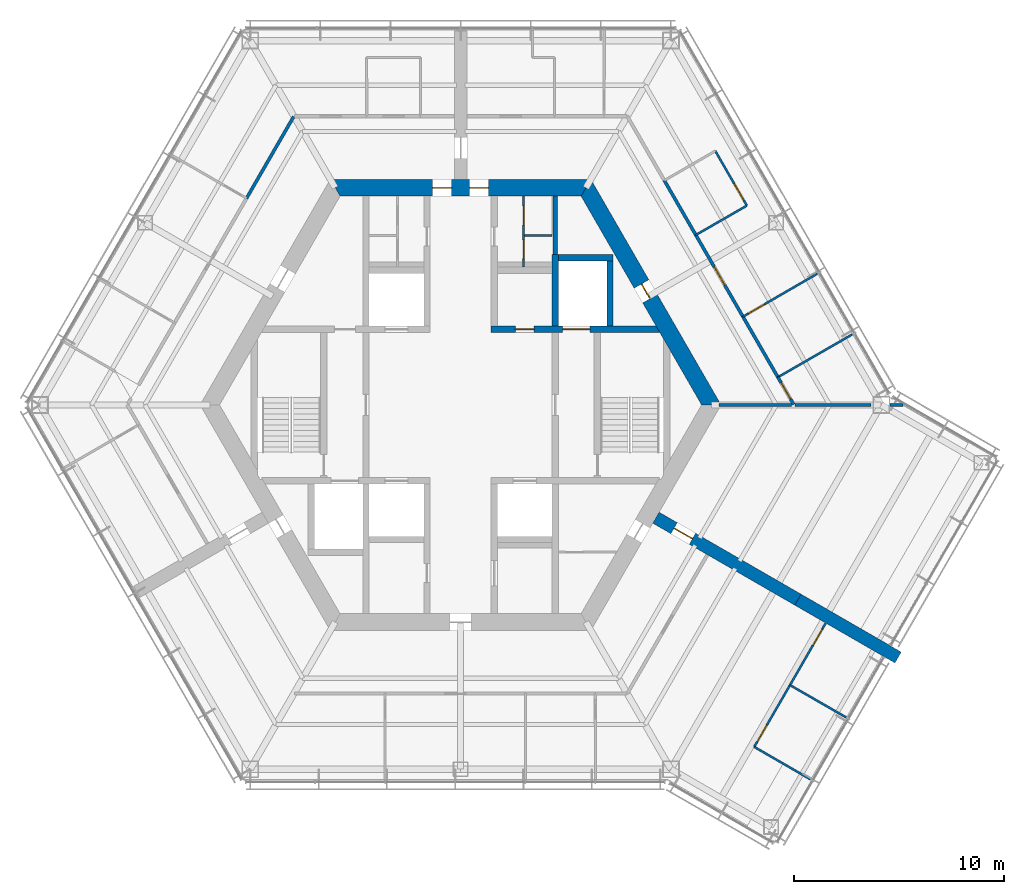
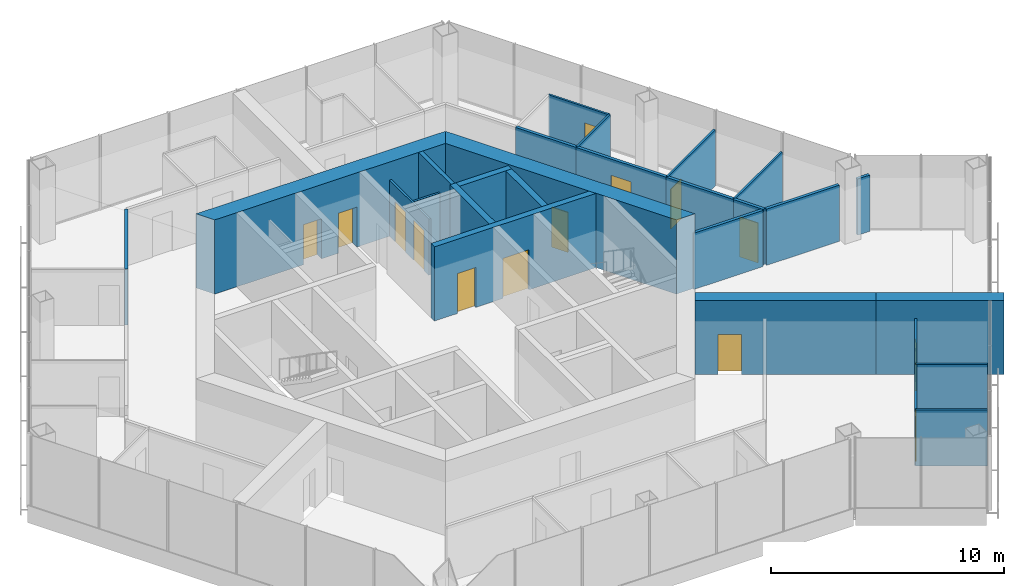
# One storey, part 9 of 13: 27 walls, 14 doors, 14 openings.
"""IFC4 building model written with IfcOpenShell, lengths in metres."""

import ifcopenshell
import ifcopenshell.guid

model = None  # the IFC model being written
_history = None  # IfcOwnerHistory: only IFC2X3 demands one
_inside = {}  # id of a spatial element -> (the spatial element, [elements in it])
_under = {}  # id of a project, library or spatial element -> (it, [spatial elements below it])
_declared = {}  # id of a project -> (the project, [libraries it declares])
_typed = {}  # id of a type object -> (the type object, [elements of that type])
_made_of = {}  # id of a material, layer set ... -> (it, [elements and type objects made of it])


def new_model(schema):
    """Start an empty IFC model of exactly this schema.

    Asked for "IFC4X3", IfcOpenShell would pick the latest addendum, in which some entities
    have other attributes; the version numbers below select the first issue.
    IFC2X3 requires an IfcOwnerHistory on every rooted entity: one is made here for all.
    """
    global model, _history
    if schema == "IFC4X3":
        model = ifcopenshell.file(schema_version=(4, 3, 0, 0))
    else:
        model = ifcopenshell.file(schema=schema)
    _inside.clear()
    _under.clear()
    _declared.clear()
    _typed.clear()
    _made_of.clear()
    _history = None
    if model.schema == "IFC2X3":
        org = make("IfcOrganization", Name="unknown")
        user = make(
            "IfcPersonAndOrganization",
            ThePerson=make("IfcPerson", FamilyName="unknown"),
            TheOrganization=org,
        )
        app = make(
            "IfcApplication",
            ApplicationDeveloper=org,
            Version="unknown",
            ApplicationFullName="unknown",
            ApplicationIdentifier="unknown",
        )
        _history = make(
            "IfcOwnerHistory",
            OwningUser=user,
            OwningApplication=app,
            ChangeAction="ADDED",
            CreationDate=0,
        )
    return model


def make(cls, **values):
    """One entity of the class cls with the attributes given. An attribute that is None is left unset."""
    return model.create_entity(
        cls, **{name: value for name, value in values.items() if value is not None}
    )


def rooted(cls, **values):
    """An entity with a GlobalId (a new one), such as an element, a storey or a relation."""
    return make(cls, GlobalId=ifcopenshell.guid.new(), OwnerHistory=_history, **values)


def si_unit(unit_type, name, prefix=None):
    """IfcSIUnit, for example si_unit("LENGTHUNIT", "METRE", prefix="MILLI")."""
    return make("IfcSIUnit", UnitType=unit_type, Prefix=prefix, Name=name)


def assignment(units):
    """IfcUnitAssignment: the units of a project."""
    return None if units is None else make("IfcUnitAssignment", Units=units)


def point(xyz):
    """IfcCartesianPoint."""
    return None if xyz is None else make("IfcCartesianPoint", Coordinates=xyz)


def direction(xyz):
    """IfcDirection."""
    return None if xyz is None else make("IfcDirection", DirectionRatios=xyz)


def frame(location, z_axis=None, x_axis=None):
    """IfcAxis2Placement3D, a coordinate frame: its origin and axes. An axis left out is left unset."""
    return make(
        "IfcAxis2Placement3D",
        Location=point(location),
        Axis=direction(z_axis),
        RefDirection=direction(x_axis),
    )


def frame_2d(location, x_axis=None):
    """IfcAxis2Placement2D, a coordinate frame in the plane: its origin and x axis."""
    return make(
        "IfcAxis2Placement2D", Location=point(location), RefDirection=direction(x_axis)
    )


def origin():
    """The frame at (0, 0, 0) with its axes left unset."""
    return frame((0.0, 0.0, 0.0))


def place(relative_to, where):
    """IfcLocalPlacement: puts the frame where relative to a parent placement (None: the world)."""
    return make(
        "IfcLocalPlacement", PlacementRelTo=relative_to, RelativePlacement=where
    )


def context(
    kind, dimensions, precision=None, world=None, true_north=None, identifier=None
):
    """IfcGeometricRepresentationContext, for example the 3D "Model" context."""
    return make(
        "IfcGeometricRepresentationContext",
        ContextIdentifier=identifier,
        ContextType=kind,
        CoordinateSpaceDimension=dimensions,
        Precision=precision,
        WorldCoordinateSystem=world,
        TrueNorth=true_north,
    )


def subcontext(parent, identifier, kind, view, scale=None):
    """IfcGeometricRepresentationSubContext, for example "Body" below "Model"."""
    return make(
        "IfcGeometricRepresentationSubContext",
        ContextIdentifier=identifier,
        ContextType=kind,
        ParentContext=parent,
        TargetScale=scale,
        TargetView=view,
    )


def project(units=None, contexts=None):
    """IfcProject with its units and contexts."""
    return rooted(
        "IfcProject",
        Name="project",
        RepresentationContexts=contexts,
        UnitsInContext=assignment(units),
    )


def spatial(cls, under=None, at=None, **own):
    """A site, building, storey or space (cls), placed at a placement, below another one or the project."""
    s = rooted(cls, ObjectPlacement=at, **own)
    if under is not None:
        _under.setdefault(under.id(), (under, []))[1].append(s)
    return s


def polyline(points):
    """IfcPolyline through the points."""
    return make("IfcPolyline", Points=[point(p) for p in points])


def profile(cls, at=None, kind="AREA", **sizes):
    """A parametric profile (cls). Its sizes go by their IFC names, for example OverallWidth=200.0."""
    return make(cls, ProfileType=kind, Position=at, **sizes)


def rectangle(**sizes):
    """IfcRectangleProfileDef."""
    return profile("IfcRectangleProfileDef", **sizes)


def outline(outer, holes=None, kind="AREA"):
    """IfcArbitraryClosedProfileDef: a profile drawn as a closed curve; with holes, ...WithVoids."""
    if holes is None:
        return make("IfcArbitraryClosedProfileDef", ProfileType=kind, OuterCurve=outer)
    return make(
        "IfcArbitraryProfileDefWithVoids",
        ProfileType=kind,
        OuterCurve=outer,
        InnerCurves=holes,
    )


def extrude(swept, where, along, depth):
    """IfcExtrudedAreaSolid: the profile swept, set in the frame where, extruded along a direction by depth."""
    return make(
        "IfcExtrudedAreaSolid",
        SweptArea=swept,
        Position=where,
        ExtrudedDirection=direction(along),
        Depth=depth,
    )


def shape(context_of_items, identifier, shape_type, items):
    """IfcShapeRepresentation: the items that make up one representation, for example the "Body"."""
    return make(
        "IfcShapeRepresentation",
        ContextOfItems=context_of_items,
        RepresentationIdentifier=identifier,
        RepresentationType=shape_type,
        Items=items,
    )


def material(Name=None, Category=None):
    """IfcMaterial."""
    return make("IfcMaterial", Name=Name, Category=Category)


def layer(
    of_material, thickness, ventilated=None, Name=None, Category=None, Priority=None
):
    """IfcMaterialLayer: one layer of a wall or slab, of a material (None: an air gap)."""
    return make(
        "IfcMaterialLayer",
        Material=of_material,
        LayerThickness=thickness,
        IsVentilated=ventilated,
        Name=Name,
        Category=Category,
        Priority=Priority,
    )


def layer_set(layers, Name=None):
    """IfcMaterialLayerSet."""
    return make("IfcMaterialLayerSet", MaterialLayers=layers, LayerSetName=Name)


def made_of(thing, what):
    """Note that an element or type object is made of a material, layer set ...; save() writes the relation."""
    if what is not None:
        _made_of.setdefault(what.id(), (what, []))[1].append(thing)
    return thing


def type_object(cls, material=None, **own):
    """A type object (cls), such as IfcWallType, which elements share."""
    return made_of(rooted(cls, **own), material)


def element(
    cls,
    number,
    at=None,
    inside=None,
    cuts=None,
    type_object=None,
    material=None,
    context=None,
    identifier="Body",
    shape_type=None,
    held_by="IfcProductDefinitionShape",
    body=None,
    shapes=None,
    **own,
):
    """One element of the class cls, such as IfcWall. Its Tag is "e" and its number.

    at: its placement. inside: the storey or other place that contains it. cuts: it is an
    opening in that element (IfcRelVoidsElement). A single representation is given by context,
    identifier, shape_type and body (its items); several are given by shapes. held_by: the class
    of the entity that holds the representations. save() writes the other relations.
    """
    e = rooted(cls, Tag="e%d" % number, ObjectPlacement=at, **own)
    if body is not None:
        shapes = [shape(context, identifier, shape_type, body)]
    if shapes is not None:
        e.Representation = make(held_by, Representations=shapes)
    if inside is not None:
        _inside.setdefault(inside.id(), (inside, []))[1].append(e)
    if cuts is not None:
        rooted(
            "IfcRelVoidsElement", RelatingBuildingElement=cuts, RelatedOpeningElement=e
        )
    if type_object is not None:
        _typed.setdefault(type_object.id(), (type_object, []))[1].append(e)
    return made_of(e, material)


def fill(opening, filler):
    """IfcRelFillsElement: the door or window that sits in an opening."""
    return rooted(
        "IfcRelFillsElement",
        RelatingOpeningElement=opening,
        RelatedBuildingElement=filler,
    )


def aggregate(whole, parts):
    """IfcRelAggregates: a whole, such as a stair, and the parts it consists of."""
    return rooted("IfcRelAggregates", RelatingObject=whole, RelatedObjects=parts)


def save(model, path):
    """Write the relations noted so far, then the file.

    IfcRelAggregates (storeys below a building ...), IfcRelContainedInSpatialStructure (elements
    in a storey), IfcRelDefinesByType, IfcRelAssociatesMaterial and IfcRelDeclares: one each for
    every whole, place, type object, material and project.
    """
    for whole, parts in _under.values():
        aggregate(whole, parts)
    for where, things in _inside.values():
        rooted(
            "IfcRelContainedInSpatialStructure",
            RelatedElements=things,
            RelatingStructure=where,
        )
    for kind, things in _typed.values():
        rooted("IfcRelDefinesByType", RelatedObjects=things, RelatingType=kind)
    for what, things in _made_of.values():
        rooted("IfcRelAssociatesMaterial", RelatedObjects=things, RelatingMaterial=what)
    for by, libraries in _declared.values():
        rooted("IfcRelDeclares", RelatingContext=by, RelatedDefinitions=libraries)
    model.write(path)


model = new_model("IFC4")

# Units and contexts
model_context = context("Model", 3, precision=1e-05, world=origin(), true_north=direction((0.0, 1.0)))
body_context = subcontext(model_context, "Body", "Model", "MODEL_VIEW")
ifc_project = project(units=[si_unit("LENGTHUNIT", "METRE"), si_unit("AREAUNIT", "SQUARE_METRE"), si_unit("VOLUMEUNIT", "CUBIC_METRE"), si_unit("PLANEANGLEUNIT", "RADIAN"), si_unit("MASSUNIT", "GRAM", prefix="KILO")], contexts=[model_context])

# Site, building, storey
site_placement = place(None, origin())
site = spatial("IfcSite", under=ifc_project, at=site_placement, CompositionType="ELEMENT")
building_placement = place(site_placement, origin())
building = spatial("IfcBuilding", under=site, at=building_placement, Name="Kasaneha Research Tower", CompositionType="ELEMENT")
storey_placement = place(building_placement, frame((0.0, 0.0, 279.10009765625)))
storey = spatial("IfcBuildingStorey", under=building, at=storey_placement, Name="L70", CompositionType="ELEMENT", Elevation=279.10009765625)

# Wall, openings, doors
ifc_material_1 = material(Name="Concrete Fc60", Category="concrete")
ifc_layer_1 = layer(ifc_material_1, 0.300048828125)
ifc_layer_set_1 = layer_set([ifc_layer_1], Name="Core internal wall 300 Fc60")
wall_type_1 = type_object("IfcWallType", Name="Core internal wall 300 Fc60", PredefinedType="SHEAR", material=ifc_layer_set_1)
wall_1_placement = place(storey_placement, frame((1.449951171875, 3.60009765625, 0.0), z_axis=(0.0, 0.0, 1.0), x_axis=(1.0, 0.0, 0.0)))
wall_1 = element("IfcWall", 1, at=wall_1_placement, inside=storey, type_object=wall_type_1, Name="Core wall W1E L70", PredefinedType="SHEAR", context=body_context, shape_type="SweptSolid", body=[
    extrude(outline(polyline([(0.0, -0.14990234375), (1.14990234375, -0.14990234375), (2.0498046875, -0.14990234375), (3.39990234375, -0.14990234375), (4.699951171875, -0.14990234375), (8.0185546875, -0.14990234375), (7.84521484375, 0.14990234375), (4.699951171875, 0.14990234375), (3.39990234375, 0.14990234375), (2.0498046875, 0.14990234375), (1.14990234375, 0.14990234375), (0.0, 0.14990234375), (0.0, -0.14990234375)])), origin(), (0.0, 0.0, 1.0), 3.89990234375),
])
opening_1_placement = place(wall_1_placement, frame((1.14990234375, 0.0, 0.0)))
opening_1 = element("IfcOpeningElement", 2, at=opening_1_placement, cuts=wall_1, Name="Opening L70-D17", PredefinedType="OPENING", context=body_context, shape_type="SweptSolid", body=[
    extrude(rectangle(XDim=0.89990234375, YDim=2.10009765625, at=frame_2d((0.449951171875, 1.050048828125))), frame((0.0, 0.16015625, 0.0), z_axis=(0.0, -1.0, 0.0), x_axis=(1.0, 0.0, 0.0)), (0.0, 0.0, 1.0), 0.320068359375),
])
opening_2_placement = place(wall_1_placement, frame((3.39990234375, 0.0, 0.0)))
opening_2 = element("IfcOpeningElement", 3, at=opening_2_placement, cuts=wall_1, Name="Opening LD-FL1-L70", PredefinedType="OPENING", context=body_context, shape_type="SweptSolid", body=[
    extrude(rectangle(XDim=1.300048828125, YDim=2.10009765625, at=frame_2d((0.64990234375, 1.050048828125))), frame((0.0, 0.16015625, 0.0), z_axis=(0.0, -1.0, 0.0), x_axis=(1.0, 0.0, 0.0)), (0.0, 0.0, 1.0), 0.320068359375),
])
ifc_material_2 = material(Name="Steel", Category="steel")
door_type_1 = type_object("IfcDoorType", Name="Lift landing door 1300x2100", OperationType="DOUBLE_DOOR_SLIDING", PredefinedType="DOOR", material=ifc_material_2)
door_1_placement = place(opening_2_placement, origin())
door_1 = element("IfcDoor", 4, at=door_1_placement, inside=storey, type_object=door_type_1, Name="Landing door FL1 LD-FL1-L70", OperationType="DOUBLE_DOOR_SLIDING", OverallHeight=2.10009765625, OverallWidth=1.300048828125, PredefinedType="DOOR", context=body_context, shape_type="SweptSolid", body=[
    extrude(rectangle(XDim=1.300048828125, YDim=2.10009765625, at=frame_2d((0.64990234375, 1.050048828125))), frame((0.0, 0.02490234375, 0.0), z_axis=(0.0, -1.0, 0.0), x_axis=(1.0, 0.0, 0.0)), (0.0, 0.0, 1.0), 0.050048828125),
])
fill(opening_2, door_1)
ifc_material_3 = material(Name="Steel", Category="steel")
door_type_2 = type_object("IfcDoorType", Name="Shaft room door FD60 900x2100", OperationType="NOTDEFINED", PredefinedType="DOOR", material=ifc_material_3)
door_2_placement = place(opening_1_placement, origin())
door_2 = element("IfcDoor", 5, at=door_2_placement, inside=storey, type_object=door_type_2, Name="Mail room door L70-D17", OperationType="SINGLE_SWING_LEFT", OverallHeight=2.10009765625, OverallWidth=0.89990234375, PredefinedType="DOOR", context=body_context, shape_type="SweptSolid", body=[
    extrude(rectangle(XDim=0.89990234375, YDim=2.10009765625, at=frame_2d((0.449951171875, 1.050048828125))), frame((0.0, 0.02490234375, 0.0), z_axis=(0.0, -1.0, 0.0), x_axis=(1.0, 0.0, 0.0)), (0.0, 0.0, 1.0), 0.050048828125),
])
fill(opening_1, door_2)

# Walls
wall_2_placement = place(storey_placement, frame((4.5, 3.75, 0.0), z_axis=(0.0, 0.0, 1.0), x_axis=(0.0, 1.0, 0.0)))
element("IfcWall", 6, at=wall_2_placement, inside=storey, type_object=wall_type_1, Name="Core wall FNE L70", PredefinedType="SHEAR", context=body_context, shape_type="SweptSolid", body=[
    extrude(rectangle(XDim=3.39990234375, YDim=0.300048828125, at=frame_2d((1.699951171875, 0.0))), origin(), (0.0, 0.0, 1.0), 3.89990234375),
])
wall_3_placement = place(storey_placement, frame((4.64990234375, 7.0, 0.0), z_axis=(0.0, 0.0, 1.0), x_axis=(1.0, 0.0, 0.0)))
element("IfcWall", 7, at=wall_3_placement, inside=storey, type_object=wall_type_1, Name="Core wall F1N L70", PredefinedType="SHEAR", context=body_context, shape_type="SweptSolid", body=[
    extrude(rectangle(XDim=2.60009765625, YDim=0.300048828125, at=frame_2d((1.300048828125, 0.0))), origin(), (0.0, 0.0, 1.0), 3.89990234375),
])
wall_4_placement = place(storey_placement, frame((7.10009765625, 3.75, 0.0), z_axis=(0.0, 0.0, 1.0), x_axis=(0.0, 1.0, 0.0)))
element("IfcWall", 8, at=wall_4_placement, inside=storey, type_object=wall_type_1, Name="Core wall F1E L70", PredefinedType="SHEAR", context=body_context, shape_type="SweptSolid", body=[
    extrude(rectangle(XDim=3.10009765625, YDim=0.300048828125, at=frame_2d((1.550048828125, 0.0))), origin(), (0.0, 0.0, 1.0), 3.89990234375),
])

# Wall, opening, door
ifc_material_4 = material(Name="Concrete Fc60", Category="concrete")
ifc_layer_2 = layer(ifc_material_4, 0.800048828125)
ifc_layer_set_2 = layer_set([ifc_layer_2], Name="Core wall 800 Fc60")
wall_type_2 = type_object("IfcWallType", Name="Core wall 800 Fc60", PredefinedType="SHEAR", material=ifc_layer_set_2)
wall_5_placement = place(storey_placement, frame((11.92236328125, 0.0, 0.0), z_axis=(0.0, 0.0, 1.0), x_axis=(-0.500004296715, 0.866022923061, 0.0)))
wall_5 = element("IfcWall", 9, at=wall_5_placement, inside=storey, type_object=wall_type_2, Name="Core wall 030 L70", PredefinedType="SHEAR", context=body_context, shape_type="SweptSolid", body=[
    extrude(outline(polyline([(-0.23095703125, -0.39990234375), (5.83544921875, -0.39990234375), (6.635498046875, -0.39990234375), (12.1533203125, -0.39990234375), (11.69140625, 0.39990234375), (6.635498046875, 0.39990234375), (5.83544921875, 0.39990234375), (0.23095703125, 0.39990234375), (-0.23095703125, -0.39990234375)])), origin(), (0.0, 0.0, 1.0), 3.89990234375),
])
opening_3_placement = place(wall_5_placement, frame((5.83544921875, 0.0, 0.0)))
opening_3 = element("IfcOpeningElement", 10, at=opening_3_placement, cuts=wall_5, Name="Opening L70-D04", PredefinedType="OPENING", context=body_context, shape_type="SweptSolid", body=[
    extrude(rectangle(XDim=0.800048828125, YDim=2.10009765625, at=frame_2d((0.39990234375, 1.050048828125))), frame((0.0, 0.41015625, 0.0), z_axis=(0.0, -1.0, 0.0), x_axis=(1.0, 0.0, 0.0)), (0.0, 0.0, 1.0), 0.820068359375),
])
ifc_material_5 = material(Name="Steel", Category="steel")
door_type_3 = type_object("IfcDoorType", Name="Riser access door FD60 800x2100", OperationType="NOTDEFINED", PredefinedType="DOOR", material=ifc_material_5)
door_3_placement = place(opening_3_placement, origin())
door_3 = element("IfcDoor", 11, at=door_3_placement, inside=storey, type_object=door_type_3, Name="Pipe riser door L70-D04", OperationType="SINGLE_SWING_RIGHT", OverallHeight=2.10009765625, OverallWidth=0.800048828125, PredefinedType="DOOR", context=body_context, shape_type="SweptSolid", body=[
    extrude(rectangle(XDim=0.800048828125, YDim=2.10009765625, at=frame_2d((0.39990234375, 1.050048828125))), frame((0.0, 0.02490234375, 0.0), z_axis=(0.0, -1.0, 0.0), x_axis=(1.0, 0.0, 0.0)), (0.0, 0.0, 1.0), 0.050048828125),
])
fill(opening_3, door_3)

# Wall, openings, doors
wall_6_placement = place(storey_placement, frame((5.961181640625, 10.324951171875, 0.0), z_axis=(0.0, 0.0, 1.0), x_axis=(-1.0, 0.0, 0.0)))
wall_6 = element("IfcWall", 12, at=wall_6_placement, inside=storey, type_object=wall_type_2, Name="Core wall 090 L70", PredefinedType="SHEAR", context=body_context, shape_type="SweptSolid", body=[
    extrude(outline(polyline([(-0.23095703125, -0.39990234375), (4.63623046875, -0.39990234375), (5.5361328125, -0.39990234375), (6.38623046875, -0.39990234375), (7.2861328125, -0.39990234375), (12.1533203125, -0.39990234375), (11.69140625, 0.39990234375), (7.2861328125, 0.39990234375), (6.38623046875, 0.39990234375), (5.5361328125, 0.39990234375), (4.63623046875, 0.39990234375), (0.23095703125, 0.39990234375), (-0.23095703125, -0.39990234375)])), origin(), (0.0, 0.0, 1.0), 3.89990234375),
])
opening_4_placement = place(wall_6_placement, frame((6.38623046875, 0.0, 0.0)))
opening_4 = element("IfcOpeningElement", 13, at=opening_4_placement, cuts=wall_6, Name="Opening L70-D01", PredefinedType="OPENING", context=body_context, shape_type="SweptSolid", body=[
    extrude(rectangle(XDim=0.89990234375, YDim=2.10009765625, at=frame_2d((0.449951171875, 1.050048828125))), frame((0.0, 0.41015625, 0.0), z_axis=(0.0, -1.0, 0.0), x_axis=(1.0, 0.0, 0.0)), (0.0, 0.0, 1.0), 0.820068359375),
])
opening_5_placement = place(wall_6_placement, frame((4.63623046875, 0.0, 0.0)))
opening_5 = element("IfcOpeningElement", 14, at=opening_5_placement, cuts=wall_6, Name="Opening L70-D02", PredefinedType="OPENING", context=body_context, shape_type="SweptSolid", body=[
    extrude(rectangle(XDim=0.89990234375, YDim=2.10009765625, at=frame_2d((0.449951171875, 1.050048828125))), frame((0.0, 0.41015625, 0.0), z_axis=(0.0, -1.0, 0.0), x_axis=(1.0, 0.0, 0.0)), (0.0, 0.0, 1.0), 0.820068359375),
])
ifc_material_6 = material(Name="Steel", Category="steel")
door_type_4 = type_object("IfcDoorType", Name="Toilet door FD20 900x2100", OperationType="NOTDEFINED", PredefinedType="DOOR", material=ifc_material_6)
door_4_placement = place(opening_4_placement, origin())
door_4 = element("IfcDoor", 15, at=door_4_placement, inside=storey, type_object=door_type_4, Name="Core door north 1 L70-D01", OperationType="SINGLE_SWING_RIGHT", OverallHeight=2.10009765625, OverallWidth=0.89990234375, PredefinedType="DOOR", context=body_context, shape_type="SweptSolid", body=[
    extrude(rectangle(XDim=0.89990234375, YDim=2.10009765625, at=frame_2d((0.449951171875, 1.050048828125))), frame((0.0, 0.02490234375, 0.0), z_axis=(0.0, -1.0, 0.0), x_axis=(1.0, 0.0, 0.0)), (0.0, 0.0, 1.0), 0.050048828125),
])
fill(opening_4, door_4)
door_5_placement = place(opening_5_placement, origin())
door_5 = element("IfcDoor", 16, at=door_5_placement, inside=storey, type_object=door_type_4, Name="Core door north 2 L70-D02", OperationType="SINGLE_SWING_LEFT", OverallHeight=2.10009765625, OverallWidth=0.89990234375, PredefinedType="DOOR", context=body_context, shape_type="SweptSolid", body=[
    extrude(rectangle(XDim=0.89990234375, YDim=2.10009765625, at=frame_2d((0.449951171875, 1.050048828125))), frame((0.0, 0.02490234375, 0.0), z_axis=(0.0, -1.0, 0.0), x_axis=(1.0, 0.0, 0.0)), (0.0, 0.0, 1.0), 0.050048828125),
])
fill(opening_5, door_5)

ifc_material_7 = material(Name="Gypsum board on steel studs, one layer each side", Category="steel")
ifc_layer_3 = layer(ifc_material_7, 0.10009765625)
ifc_layer_set_3 = layer_set([ifc_layer_3], Name="Office partition 100")
wall_type_3 = type_object("IfcWallType", Name="Office partition 100", PredefinedType="PARTITIONING", material=ifc_layer_set_3)
wall_7_placement = place(storey_placement, frame((3.0, 6.550048828125, 0.0), z_axis=(0.0, 0.0, 1.0), x_axis=(0.0, 1.0, 0.0)))
wall_7 = element("IfcWall", 17, at=wall_7_placement, inside=storey, type_object=wall_type_3, Name="Office partition TBF1 L70", PredefinedType="PARTITIONING", context=body_context, shape_type="SweptSolid", body=[
    extrude(rectangle(XDim=3.375, YDim=0.10009765625, at=frame_2d((1.6875, 0.0))), origin(), (0.0, 0.0, 1.0), 2.949951171875),
])
opening_6_placement = place(wall_7_placement, frame((2.012451171875, 0.0, 0.0)))
opening_6 = element("IfcOpeningElement", 18, at=opening_6_placement, cuts=wall_7, Name="Opening L70-D23", PredefinedType="OPENING", context=body_context, shape_type="SweptSolid", body=[
    extrude(rectangle(XDim=0.89990234375, YDim=2.10009765625, at=frame_2d((0.449951171875, 1.050048828125))), frame((0.0, 0.06005859375, 0.0), z_axis=(0.0, -1.0, 0.0), x_axis=(1.0, 0.0, 0.0)), (0.0, 0.0, 1.0), 0.1201171875),
])
opening_7_placement = place(wall_7_placement, frame((0.39990234375, 0.0, 0.0)))
opening_7 = element("IfcOpeningElement", 19, at=opening_7_placement, cuts=wall_7, Name="Opening L70-D24", PredefinedType="OPENING", context=body_context, shape_type="SweptSolid", body=[
    extrude(rectangle(XDim=0.89990234375, YDim=2.10009765625, at=frame_2d((0.449951171875, 1.050048828125))), frame((0.0, 0.06005859375, 0.0), z_axis=(0.0, -1.0, 0.0), x_axis=(1.0, 0.0, 0.0)), (0.0, 0.0, 1.0), 0.1201171875),
])
ifc_material_8 = material(Name="Steel", Category="steel")
door_type_5 = type_object("IfcDoorType", Name="Toilet lobby door FD30 900x2100", OperationType="NOTDEFINED", PredefinedType="DOOR", material=ifc_material_8)
door_6_placement = place(opening_6_placement, origin())
door_6 = element("IfcDoor", 20, at=door_6_placement, inside=storey, type_object=door_type_5, Name="Women's WC door L70-D23", OperationType="SINGLE_SWING_RIGHT", OverallHeight=2.10009765625, OverallWidth=0.89990234375, PredefinedType="DOOR", context=body_context, shape_type="SweptSolid", body=[
    extrude(rectangle(XDim=0.89990234375, YDim=2.10009765625, at=frame_2d((0.449951171875, 1.050048828125))), frame((0.0, 0.02490234375, 0.0), z_axis=(0.0, -1.0, 0.0), x_axis=(1.0, 0.0, 0.0)), (0.0, 0.0, 1.0), 0.050048828125),
])
fill(opening_6, door_6)
door_7_placement = place(opening_7_placement, origin())
door_7 = element("IfcDoor", 21, at=door_7_placement, inside=storey, type_object=door_type_5, Name="Parents' room door L70-D24", OperationType="SINGLE_SWING_RIGHT", OverallHeight=2.10009765625, OverallWidth=0.89990234375, PredefinedType="DOOR", context=body_context, shape_type="SweptSolid", body=[
    extrude(rectangle(XDim=0.89990234375, YDim=2.10009765625, at=frame_2d((0.449951171875, 1.050048828125))), frame((0.0, 0.02490234375, 0.0), z_axis=(0.0, -1.0, 0.0), x_axis=(1.0, 0.0, 0.0)), (0.0, 0.0, 1.0), 0.050048828125),
])
fill(opening_7, door_7)

# Wall
wall_8_placement = place(storey_placement, frame((3.050048828125, 8.050048828125, 0.0), z_axis=(0.0, 0.0, 1.0), x_axis=(1.0, 0.0, 0.0)))
element("IfcWall", 22, at=wall_8_placement, inside=storey, type_object=wall_type_3, Name="Office partition TBF2 L70", PredefinedType="PARTITIONING", context=body_context, shape_type="SweptSolid", body=[
    extrude(rectangle(XDim=1.300048828125, YDim=0.10009765625, at=frame_2d((0.64990234375, 0.0))), origin(), (0.0, 0.0, 1.0), 2.949951171875),
])

# Wall, opening, door
wall_9_placement = place(storey_placement, frame((12.111083984375, 12.072998046875, 0.0), z_axis=(0.0, 0.0, 1.0), x_axis=(0.499990139034, -0.866031096941, 0.0)))
wall_9 = element("IfcWall", 23, at=wall_9_placement, inside=storey, type_object=wall_type_3, Name="Office partition FAE13 L70", PredefinedType="PARTITIONING", context=body_context, shape_type="SweptSolid", body=[
    extrude(rectangle(XDim=3.0, YDim=0.10009765625, at=frame_2d((1.5, 0.0))), origin(), (0.0, 0.0, 1.0), 2.949951171875),
])
opening_8_placement = place(wall_9_placement, frame((1.800048828125, 0.0, 0.0)))
opening_8 = element("IfcOpeningElement", 24, at=opening_8_placement, cuts=wall_9, Name="Opening L70-D29", PredefinedType="OPENING", context=body_context, shape_type="SweptSolid", body=[
    extrude(rectangle(XDim=0.89990234375, YDim=2.10009765625, at=frame_2d((0.449951171875, 1.050048828125))), frame((0.0, 0.06005859375, 0.0), z_axis=(0.0, -1.0, 0.0), x_axis=(1.0, 0.0, 0.0)), (0.0, 0.0, 1.0), 0.1201171875),
])
ifc_material_9 = material(Name="Timber veneer", Category="wood")
door_type_6 = type_object("IfcDoorType", Name="Office door 900x2100", OperationType="SINGLE_SWING_LEFT", PredefinedType="DOOR", material=ifc_material_9)
door_8_placement = place(opening_8_placement, origin())
door_8 = element("IfcDoor", 25, at=door_8_placement, inside=storey, type_object=door_type_6, Name="Pantry door L70-D29", OperationType="SINGLE_SWING_RIGHT", OverallHeight=2.10009765625, OverallWidth=0.89990234375, PredefinedType="DOOR", context=body_context, shape_type="SweptSolid", body=[
    extrude(rectangle(XDim=0.89990234375, YDim=2.10009765625, at=frame_2d((0.449951171875, 1.050048828125))), frame((0.0, 0.02490234375, 0.0), z_axis=(0.0, -1.0, 0.0), x_axis=(1.0, 0.0, 0.0)), (0.0, 0.0, 1.0), 0.050048828125),
])
fill(opening_8, door_8)

# Walls
wall_10_placement = place(storey_placement, frame((13.611083984375, 9.474853515625, 0.0), z_axis=(0.0, 0.0, 1.0), x_axis=(-0.866833758708, -0.498597267105, 0.0)))
element("IfcWall", 26, at=wall_10_placement, inside=storey, type_object=wall_type_3, Name="Office partition FAE14 L70", PredefinedType="PARTITIONING", context=body_context, shape_type="SweptSolid", body=[
    extrude(rectangle(XDim=2.7998046875, YDim=0.10009765625, at=frame_2d((1.39990234375, 0.0))), origin(), (0.0, 0.0, 1.0), 2.949951171875),
])
wall_11_placement = place(storey_placement, frame((18.619873046875, 3.3505859375, 0.0), z_axis=(0.0, 0.0, 1.0), x_axis=(-0.866635015839, -0.498942631293, 0.0)))
element("IfcWall", 27, at=wall_11_placement, inside=storey, type_object=wall_type_3, Name="Office partition FAE15 L70", PredefinedType="PARTITIONING", context=body_context, shape_type="SweptSolid", body=[
    extrude(rectangle(XDim=4.075439453125, YDim=0.10009765625, at=frame_2d((2.03759765625, 0.0))), origin(), (0.0, 0.0, 1.0), 2.949951171875),
])

# Wall, opening, door
wall_12_placement = place(storey_placement, frame((13.427001953125, 4.193603515625, 0.0), z_axis=(0.0, 0.0, 1.0), x_axis=(0.865490372379, 0.500925558661, 0.0)))
wall_12 = element("IfcWall", 28, at=wall_12_placement, inside=storey, type_object=wall_type_3, Name="Office partition FAE16 L70", PredefinedType="PARTITIONING", context=body_context, shape_type="SweptSolid", body=[
    extrude(rectangle(XDim=4.085693359375, YDim=0.10009765625, at=frame_2d((2.04296875, 0.0))), origin(), (0.0, 0.0, 1.0), 2.949951171875),
])
opening_9_placement = place(wall_12_placement, frame((0.300048828125, 0.0, 0.0)))
opening_9 = element("IfcOpeningElement", 29, at=opening_9_placement, cuts=wall_12, Name="Opening L70-D30", PredefinedType="OPENING", context=body_context, shape_type="SweptSolid", body=[
    extrude(rectangle(XDim=0.89990234375, YDim=2.10009765625, at=frame_2d((0.449951171875, 1.050048828125))), frame((0.0, 0.06005859375, 0.0), z_axis=(0.0, -1.0, 0.0), x_axis=(1.0, 0.0, 0.0)), (0.0, 0.0, 1.0), 0.1201171875),
])
door_9_placement = place(opening_9_placement, origin())
door_9 = element("IfcDoor", 30, at=door_9_placement, inside=storey, type_object=door_type_6, Name="Meeting room door L70-D30", OperationType="SINGLE_SWING_LEFT", OverallHeight=2.10009765625, OverallWidth=0.89990234375, PredefinedType="DOOR", context=body_context, shape_type="SweptSolid", body=[
    extrude(rectangle(XDim=0.89990234375, YDim=2.10009765625, at=frame_2d((0.449951171875, 1.050048828125))), frame((0.0, 0.02490234375, 0.0), z_axis=(0.0, -1.0, 0.0), x_axis=(1.0, 0.0, 0.0)), (0.0, 0.0, 1.0), 0.050048828125),
])
fill(opening_9, door_9)

# Wall
wall_13_placement = place(storey_placement, frame((15.658935546875, -13.31884765625, 0.0), z_axis=(0.0, 0.0, 1.0), x_axis=(0.866844641549, -0.498578346319, 0.0)))
element("IfcWall", 31, at=wall_13_placement, inside=storey, type_object=wall_type_3, Name="Office partition FCS09 L70", PredefinedType="PARTITIONING", context=body_context, shape_type="SweptSolid", body=[
    extrude(rectangle(XDim=3.080078125, YDim=0.10009765625, at=frame_2d((1.5400390625, 0.0))), origin(), (0.0, 0.0, 1.0), 2.949951171875),
])

# Wall, opening, door
wall_14_placement = place(storey_placement, frame((13.96142578125, -16.259033203125, 0.0), z_axis=(0.0, 0.0, 1.0), x_axis=(0.501149490816, 0.865360727012, 0.0)))
wall_14 = element("IfcWall", 32, at=wall_14_placement, inside=storey, type_object=wall_type_3, Name="Office partition FCS10 L70", PredefinedType="PARTITIONING", context=body_context, shape_type="SweptSolid", body=[
    extrude(rectangle(XDim=3.39990234375, YDim=0.10009765625, at=frame_2d((1.699951171875, 0.0))), origin(), (0.0, 0.0, 1.0), 2.949951171875),
])
opening_10_placement = place(wall_14_placement, frame((0.300048828125, 0.0, 0.0)))
opening_10 = element("IfcOpeningElement", 33, at=opening_10_placement, cuts=wall_14, Name="Opening L70-D43", PredefinedType="OPENING", context=body_context, shape_type="SweptSolid", body=[
    extrude(rectangle(XDim=0.89990234375, YDim=2.10009765625, at=frame_2d((0.449951171875, 1.050048828125))), frame((0.0, 0.06005859375, 0.0), z_axis=(0.0, -1.0, 0.0), x_axis=(1.0, 0.0, 0.0)), (0.0, 0.0, 1.0), 0.1201171875),
])
door_10_placement = place(opening_10_placement, origin())
door_10 = element("IfcDoor", 34, at=door_10_placement, inside=storey, type_object=door_type_6, Name="Project room door L70-D43", OperationType="SINGLE_SWING_LEFT", OverallHeight=2.10009765625, OverallWidth=0.89990234375, PredefinedType="DOOR", context=body_context, shape_type="SweptSolid", body=[
    extrude(rectangle(XDim=0.89990234375, YDim=2.10009765625, at=frame_2d((0.449951171875, 1.050048828125))), frame((0.0, 0.02490234375, 0.0), z_axis=(0.0, -1.0, 0.0), x_axis=(1.0, 0.0, 0.0)), (0.0, 0.0, 1.0), 0.050048828125),
])
fill(opening_10, door_10)

# Wall
wall_15_placement = place(storey_placement, frame((16.62890625, -17.799072265625, 0.0), z_axis=(0.0, 0.0, 1.0), x_axis=(-0.866029832698, 0.499992328818, 0.0)))
element("IfcWall", 35, at=wall_15_placement, inside=storey, type_object=wall_type_3, Name="Office partition FCS11 L70", PredefinedType="PARTITIONING", context=body_context, shape_type="SweptSolid", body=[
    extrude(rectangle(XDim=3.080078125, YDim=0.10009765625, at=frame_2d((1.5400390625, 0.0))), origin(), (0.0, 0.0, 1.0), 2.949951171875),
])

# Wall, opening, door
wall_16_placement = place(storey_placement, frame((15.665283203125, -13.31689453125, 0.0), z_axis=(0.0, 0.0, 1.0), x_axis=(0.498882251571, 0.866669775098, 0.0)))
wall_16 = element("IfcWall", 36, at=wall_16_placement, inside=storey, type_object=wall_type_3, Name="Office partition FCS12 L70", PredefinedType="PARTITIONING", context=body_context, shape_type="SweptSolid", body=[
    extrude(rectangle(XDim=3.380126953125, YDim=0.10009765625, at=frame_2d((1.68994140625, 0.0))), origin(), (0.0, 0.0, 1.0), 2.949951171875),
])
opening_11_placement = place(wall_16_placement, frame((2.179931640625, 0.0, 0.0)))
opening_11 = element("IfcOpeningElement", 37, at=opening_11_placement, cuts=wall_16, Name="Opening L70-D44", PredefinedType="OPENING", context=body_context, shape_type="SweptSolid", body=[
    extrude(rectangle(XDim=0.89990234375, YDim=2.10009765625, at=frame_2d((0.449951171875, 1.050048828125))), frame((0.0, 0.06005859375, 0.0), z_axis=(0.0, -1.0, 0.0), x_axis=(1.0, 0.0, 0.0)), (0.0, 0.0, 1.0), 0.1201171875),
])
door_11_placement = place(opening_11_placement, origin())
door_11 = element("IfcDoor", 38, at=door_11_placement, inside=storey, type_object=door_type_6, Name="Workroom door L70-D44", OperationType="SINGLE_SWING_RIGHT", OverallHeight=2.10009765625, OverallWidth=0.89990234375, PredefinedType="DOOR", context=body_context, shape_type="SweptSolid", body=[
    extrude(rectangle(XDim=0.89990234375, YDim=2.10009765625, at=frame_2d((0.449951171875, 1.050048828125))), frame((0.0, 0.02490234375, 0.0), z_axis=(0.0, -1.0, 0.0), x_axis=(1.0, 0.0, 0.0)), (0.0, 0.0, 1.0), 0.050048828125),
])
fill(opening_11, door_11)

# Wall
ifc_material_10 = material(Name="Concrete block", Category="concrete")
ifc_layer_4 = layer(ifc_material_10, 0.199951171875)
ifc_layer_set_4 = layer_set([ifc_layer_4], Name="Riser enclosure wall 200")
wall_type_4 = type_object("IfcWallType", Name="Riser enclosure wall 200", PredefinedType="STANDARD", material=ifc_layer_set_4)
wall_17_placement = place(storey_placement, frame((4.5, 7.14990234375, 0.0), z_axis=(0.0, 0.0, 1.0), x_axis=(0.0, 1.0, 0.0)))
element("IfcWall", 39, at=wall_17_placement, inside=storey, type_object=wall_type_4, Name="Riser enclosure wall L70", PredefinedType="STANDARD", context=body_context, shape_type="SweptSolid", body=[
    extrude(rectangle(XDim=2.775146484375, YDim=0.199951171875, at=frame_2d((1.3876953125, 0.0))), origin(), (0.0, 0.0, 1.0), 3.89990234375),
])

# Wall, opening, door
ifc_material_11 = material(Name="Concrete Fc60", Category="concrete")
ifc_layer_5 = layer(ifc_material_11, 0.60009765625)
ifc_layer_set_5 = layer_set([ifc_layer_5], Name="Spine wall 600 Fc60")
wall_type_5 = type_object("IfcWallType", Name="Spine wall 600 Fc60", PredefinedType="SHEAR", material=ifc_layer_set_5)
wall_18_placement = place(storey_placement, frame((9.2880859375, -5.362548828125, 0.0), z_axis=(0.0, 0.0, 1.0), x_axis=(0.866031736626, -0.499989031036, 0.0)))
wall_18 = element("IfcWall", 40, at=wall_18_placement, inside=storey, type_object=wall_type_5, Name="Spine wall C L70", PredefinedType="SHEAR", context=body_context, shape_type="SweptSolid", body=[
    extrude(rectangle(XDim=7.795654296875, YDim=0.60009765625, at=frame_2d((3.89794921875, 0.0))), origin(), (0.0, 0.0, 1.0), 3.89990234375),
])
opening_12_placement = place(wall_18_placement, frame((1.0, 0.0, 0.0)))
opening_12 = element("IfcOpeningElement", 41, at=opening_12_placement, cuts=wall_18, Name="Opening L70-D20", PredefinedType="OPENING", context=body_context, shape_type="SweptSolid", body=[
    extrude(rectangle(XDim=1.0, YDim=2.10009765625, at=frame_2d((0.5, 1.050048828125))), frame((0.0, 0.31005859375, 0.0), z_axis=(0.0, -1.0, 0.0), x_axis=(1.0, 0.0, 0.0)), (0.0, 0.0, 1.0), 0.6201171875),
])
ifc_material_12 = material(Name="Steel", Category="steel")
door_type_7 = type_object("IfcDoorType", Name="Specified fire door FD60 1000x2100", OperationType="NOTDEFINED", PredefinedType="DOOR", material=ifc_material_12)
door_12_placement = place(opening_12_placement, origin())
door_12 = element("IfcDoor", 42, at=door_12_placement, inside=storey, type_object=door_type_7, Name="Spine doorway C L70-D20", OperationType="SINGLE_SWING_LEFT", OverallHeight=2.10009765625, OverallWidth=1.0, PredefinedType="DOOR", context=body_context, shape_type="SweptSolid", body=[
    extrude(rectangle(XDim=1.0, YDim=2.10009765625, at=frame_2d((0.5, 1.050048828125))), frame((0.0, 0.02490234375, 0.0), z_axis=(0.0, -1.0, 0.0), x_axis=(1.0, 0.0, 0.0)), (0.0, 0.0, 1.0), 0.050048828125),
])
fill(opening_12, door_12)

# Walls
wall_19_placement = place(storey_placement, frame((16.039306640625, -9.26025390625, 0.0), z_axis=(0.0, 0.0, 1.0), x_axis=(0.866027397988, -0.499996545922, 0.0)))
element("IfcWall", 43, at=wall_19_placement, inside=storey, type_object=wall_type_5, Name="Spine wall C wing L70", PredefinedType="SHEAR", context=body_context, shape_type="SweptSolid", body=[
    extrude(rectangle(XDim=5.5, YDim=0.60009765625, at=frame_2d((2.75, 0.0))), origin(), (0.0, 0.0, 1.0), 3.89990234375),
])
ifc_material_13 = material(Name="Gypsum board on steel studs, two layers each side", Category="steel")
ifc_layer_6 = layer(ifc_material_13, 0.14990234375)
ifc_layer_set_6 = layer_set([ifc_layer_6], Name="Suite partition 150")
wall_type_6 = type_object("IfcWallType", Name="Suite partition 150", PredefinedType="PARTITIONING", material=ifc_layer_set_6)
wall_20_placement = place(storey_placement, frame((9.68359375, 10.67724609375, 0.0), z_axis=(0.0, 0.0, 1.0), x_axis=(0.500038395149, -0.8660032352, 0.0)))
element("IfcWall", 44, at=wall_20_placement, inside=storey, type_object=wall_type_6, Name="Suite partition FAE02 L70", PredefinedType="PARTITIONING", context=body_context, shape_type="SweptSolid", body=[
    extrude(rectangle(XDim=3.010009765625, YDim=0.14990234375, at=frame_2d((1.5048828125, 0.0))), origin(), (0.0, 0.0, 1.0), 2.949951171875),
])
wall_21_placement = place(storey_placement, frame((13.42236328125, 4.201904296875, 0.0), z_axis=(0.0, 0.0, 1.0), x_axis=(0.499958601013, -0.866049304181, 0.0)))
element("IfcWall", 45, at=wall_21_placement, inside=storey, type_object=wall_type_6, Name="Suite partition FAE03 L70", PredefinedType="PARTITIONING", context=body_context, shape_type="SweptSolid", body=[
    extrude(rectangle(XDim=3.341064453125, YDim=0.14990234375, at=frame_2d((1.67041015625, 0.0))), origin(), (0.0, 0.0, 1.0), 2.949951171875),
])

# Wall, opening, door
wall_22_placement = place(storey_placement, frame((15.087890625, 1.317138671875, 0.0), z_axis=(0.0, 0.0, 1.0), x_axis=(0.499943519313, -0.866058010469, 0.0)))
wall_22 = element("IfcWall", 46, at=wall_22_placement, inside=storey, type_object=wall_type_6, Name="Suite partition FAE05 L70", PredefinedType="PARTITIONING", context=body_context, shape_type="SweptSolid", body=[
    extrude(rectangle(XDim=1.497802734375, YDim=0.14990234375, at=frame_2d((0.7490234375, 0.0))), origin(), (0.0, 0.0, 1.0), 2.949951171875),
])
opening_13_placement = place(wall_22_placement, frame((0.299072265625, 0.0, 0.0)))
opening_13 = element("IfcOpeningElement", 47, at=opening_13_placement, cuts=wall_22, Name="Opening L70-D27", PredefinedType="OPENING", context=body_context, shape_type="SweptSolid", body=[
    extrude(rectangle(XDim=0.89990234375, YDim=2.10009765625, at=frame_2d((0.449951171875, 1.050048828125))), frame((0.0, 0.0849609375, 0.0), z_axis=(0.0, -1.0, 0.0), x_axis=(1.0, 0.0, 0.0)), (0.0, 0.0, 1.0), 0.169921875),
])
door_13_placement = place(opening_13_placement, origin())
door_13 = element("IfcDoor", 48, at=door_13_placement, inside=storey, type_object=door_type_6, Name="Workroom door L70-D27", OperationType="SINGLE_SWING_RIGHT", OverallHeight=2.10009765625, OverallWidth=0.89990234375, PredefinedType="DOOR", context=body_context, shape_type="SweptSolid", body=[
    extrude(rectangle(XDim=0.89990234375, YDim=2.10009765625, at=frame_2d((0.449951171875, 1.050048828125))), frame((0.0, 0.02490234375, 0.0), z_axis=(0.0, -1.0, 0.0), x_axis=(1.0, 0.0, 0.0)), (0.0, 0.0, 1.0), 0.050048828125),
])
fill(opening_13, door_13)

wall_23_placement = place(storey_placement, frame((11.18408203125, 8.078857421875, 0.0), z_axis=(0.0, 0.0, 1.0), x_axis=(0.499961135754, -0.866047840905, 0.0)))
wall_23 = element("IfcWall", 49, at=wall_23_placement, inside=storey, type_object=wall_type_6, Name="Suite partition FAE08 L70", PredefinedType="PARTITIONING", context=body_context, shape_type="SweptSolid", body=[
    extrude(rectangle(XDim=4.486083984375, YDim=0.14990234375, at=frame_2d((2.2431640625, 0.0))), origin(), (0.0, 0.0, 1.0), 2.949951171875),
])
opening_14_placement = place(wall_23_placement, frame((1.7431640625, 0.0, 0.0)))
opening_14 = element("IfcOpeningElement", 50, at=opening_14_placement, cuts=wall_23, Name="Opening L70-D28", PredefinedType="OPENING", context=body_context, shape_type="SweptSolid", body=[
    extrude(rectangle(XDim=1.0, YDim=2.10009765625, at=frame_2d((0.5, 1.050048828125))), frame((0.0, 0.0849609375, 0.0), z_axis=(0.0, -1.0, 0.0), x_axis=(1.0, 0.0, 0.0)), (0.0, 0.0, 1.0), 0.169921875),
])
ifc_material_14 = material(Name="Steel", Category="steel")
door_type_8 = type_object("IfcDoorType", Name="Suite entrance door FD60 1000x2100", OperationType="NOTDEFINED", PredefinedType="DOOR", material=ifc_material_14)
door_14_placement = place(opening_14_placement, origin())
door_14 = element("IfcDoor", 51, at=door_14_placement, inside=storey, type_object=door_type_8, Name="Suite entrance door L70-D28", OperationType="SINGLE_SWING_LEFT", OverallHeight=2.10009765625, OverallWidth=1.0, PredefinedType="DOOR", context=body_context, shape_type="SweptSolid", body=[
    extrude(rectangle(XDim=1.0, YDim=2.10009765625, at=frame_2d((0.5, 1.050048828125))), frame((0.0, 0.02490234375, 0.0), z_axis=(0.0, -1.0, 0.0), x_axis=(1.0, 0.0, 0.0)), (0.0, 0.0, 1.0), 0.050048828125),
])
fill(opening_14, door_14)

# Walls
wall_24_placement = place(storey_placement, frame((-10.180908203125, 9.816162109375, 0.0), z_axis=(0.0, 0.0, 1.0), x_axis=(0.499975026679, 0.866039821658, 0.0)))
element("IfcWall", 52, at=wall_24_placement, inside=storey, type_object=wall_type_6, Name="Suite partition FBN02 L70", PredefinedType="PARTITIONING", context=body_context, shape_type="SweptSolid", body=[
    extrude(rectangle(XDim=4.490478515625, YDim=0.14990234375, at=frame_2d((2.2451171875, 0.0))), origin(), (0.0, 0.0, 1.0), 2.949951171875),
])
wall_25_placement = place(storey_placement, frame((19.5185546875, 0.0, 0.0), z_axis=(0.0, 0.0, 1.0), x_axis=(-1.0, 0.0, 0.0)))
element("IfcWall", 53, at=wall_25_placement, inside=storey, type_object=wall_type_6, Name="Suite partition closer PT4 L70", PredefinedType="PARTITIONING", context=body_context, shape_type="SweptSolid", body=[
    extrude(rectangle(XDim=3.61181640625, YDim=0.14990234375, at=frame_2d((1.805908203125, 0.0))), origin(), (0.0, 0.0, 1.0), 2.949951171875),
])
wall_26_placement = place(storey_placement, frame((12.2841796875, 0.0, 0.0), z_axis=(0.0, 0.0, 1.0), x_axis=(1.0, 0.0, 0.0)))
element("IfcWall", 54, at=wall_26_placement, inside=storey, type_object=wall_type_6, Name="Suite partition closer PT4 L70", PredefinedType="PARTITIONING", context=body_context, shape_type="SweptSolid", body=[
    extrude(rectangle(XDim=3.43896484375, YDim=0.14990234375, at=frame_2d((1.719482421875, 0.0))), origin(), (0.0, 0.0, 1.0), 2.949951171875),
])
wall_27_placement = place(storey_placement, frame((20.419921875, 0.0, 0.0), z_axis=(0.0, 0.0, 1.0), x_axis=(1.0, 0.0, 0.0)))
element("IfcWall", 55, at=wall_27_placement, inside=storey, type_object=wall_type_6, Name="Suite partition closer PT4 L70", PredefinedType="PARTITIONING", context=body_context, shape_type="SweptSolid", body=[
    extrude(rectangle(XDim=0.614013671875, YDim=0.14990234375, at=frame_2d((0.30712890625, 0.0))), origin(), (0.0, 0.0, 1.0), 2.949951171875),
])

save(model, "model.ifc")
